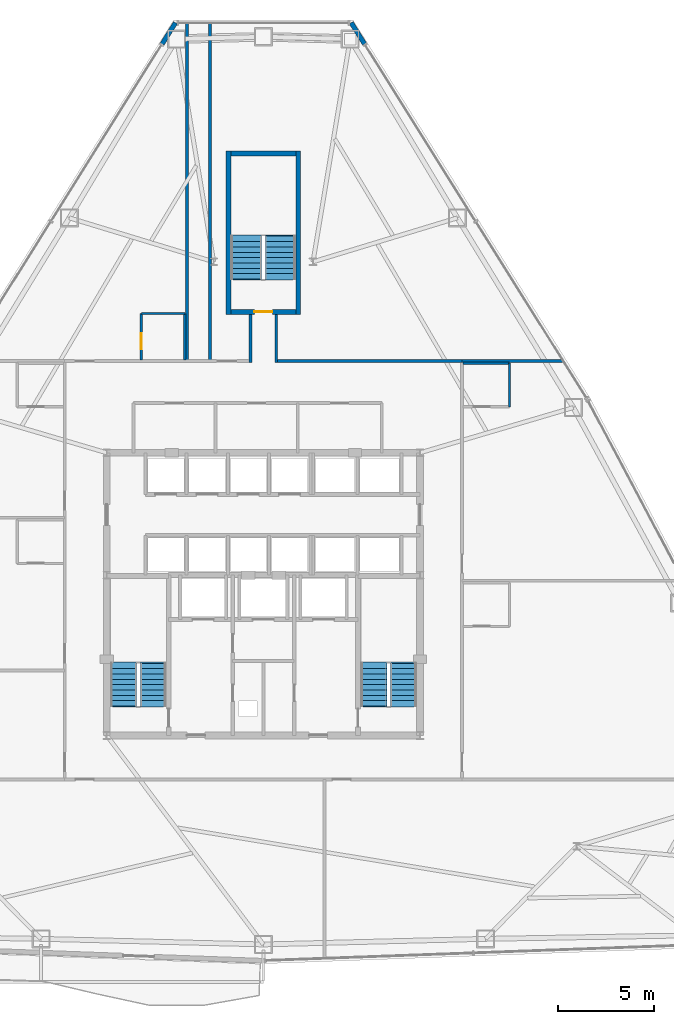
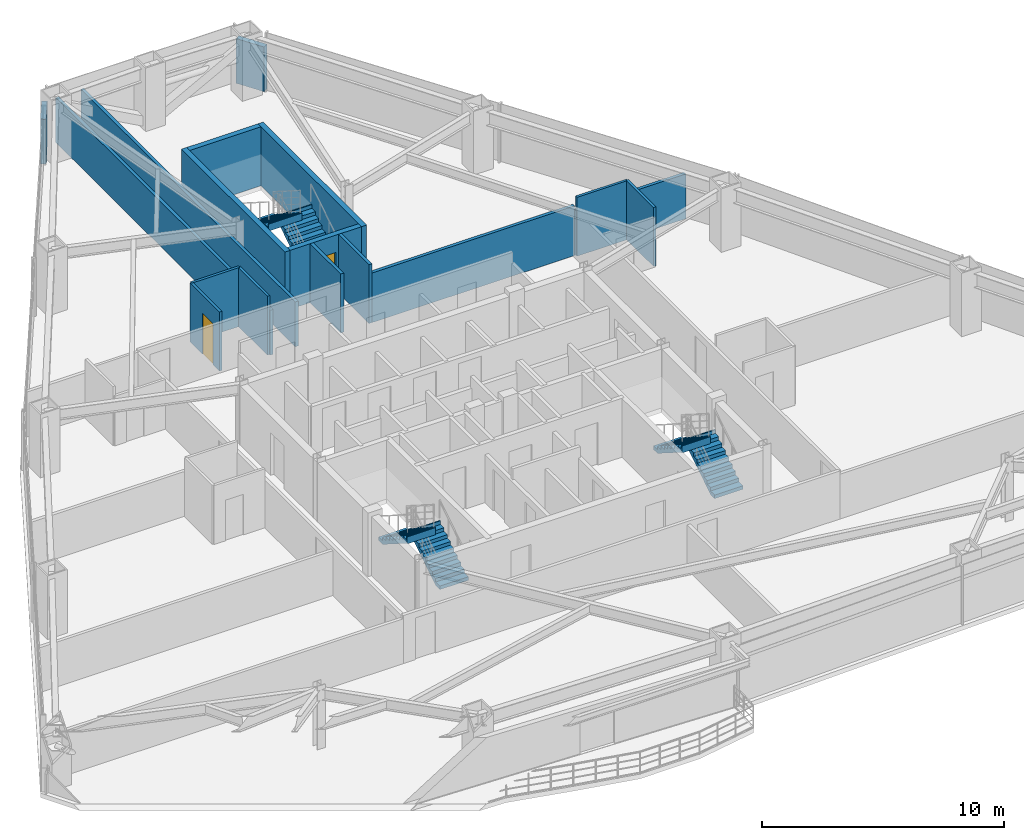
# One storey, part 11 of 13: 17 walls, 6 stair flights, 2 doors, 2 openings, 3 elements without a shape of their own.
"""IFC4 building model written with IfcOpenShell, lengths in metres."""

from ifc_helpers import new_model, si_unit, direction, frame, frame_2d, origin, place, context, subcontext, project, spatial, polyline, rectangle, outline, extrude, material, layer, layer_set, type_object, element, fill, aggregate, save


model = new_model("IFC4")

# Units and contexts
model_context = context("Model", 3, precision=1e-05, world=origin(), true_north=direction((0.0, 1.0)))
body_context = subcontext(model_context, "Body", "Model", "MODEL_VIEW")
ifc_project = project(units=[si_unit("LENGTHUNIT", "METRE"), si_unit("AREAUNIT", "SQUARE_METRE"), si_unit("VOLUMEUNIT", "CUBIC_METRE"), si_unit("PLANEANGLEUNIT", "RADIAN"), si_unit("MASSUNIT", "GRAM", prefix="KILO")], contexts=[model_context])

# Site, building, storey
site_placement = place(None, origin())
site = spatial("IfcSite", under=ifc_project, at=site_placement, CompositionType="ELEMENT")
building_placement = place(site_placement, origin())
building = spatial("IfcBuilding", under=site, at=building_placement, Name="Varakhsha Concourse Tower", CompositionType="ELEMENT")
storey_placement = place(building_placement, frame((0.0, 0.0, 95.800048828125)))
storey = spatial("IfcBuildingStorey", under=building, at=storey_placement, Name="L27", CompositionType="ELEMENT", Elevation=95.800048828125)

# Walls
ifc_material_1 = material(Name="Concrete fc 45 MPa", Category="concrete")
ifc_layer_1 = layer(ifc_material_1, 0.239990234375, Name="WL-EXT-CRN-240")
ifc_layer_set_1 = layer_set([ifc_layer_1], Name="Concrete fc 45 MPa")
wall_type_1 = type_object("IfcWallType", Name="WL-EXT-CRN-240", PredefinedType="SHEAR", material=ifc_layer_set_1)
for number, where, z_axis, x_axis, name in (
    (1, (35.39892578125, 53.7158203125, 0.0), (0.0, 0.0, 1.0), (-0.531234768042, -0.847224658059, 0.0), "L27 Wind-Corner Shoulder Wall F2"),
    (2, (45.298828125, 52.60302734375, 0.0), (0.0, 0.0, 1.0), (-0.531234768042, 0.847224658059, 0.0), "L27 Wind-Corner Shoulder Wall F9"),
):
    element("IfcWall", number, at=place(storey_placement, frame(where, z_axis=z_axis, x_axis=x_axis)), inside=storey, type_object=wall_type_1, Name=name, PredefinedType="SHEAR", context=body_context, shape_type="SweptSolid", body=[
        extrude(rectangle(XDim=1.3134765625, YDim=0.239990234375, at=frame_2d((0.65673828125, 0.0))), origin(), (0.0, 0.0, 1.0), 2.2529296875),
    ])
ifc_material_2 = material(Name="Acoustic Gypsum Board Partition Assembly", Category="gypsum")
ifc_layer_2 = layer(ifc_material_2, 0.1201171875, Name="WL-PART-120")
ifc_layer_set_2 = layer_set([ifc_layer_2], Name="Acoustic Gypsum Board Partition Assembly")
wall_type_2 = type_object("IfcWallType", Name="WL-PART-120", PredefinedType="PARTITIONING", material=ifc_layer_set_2)
wall_1_placement = place(storey_placement, frame((52.889892578125, 33.610107421875, 0.0), z_axis=(0.0, 0.0, 1.0), x_axis=(0.0, 1.0, 0.0)))
element("IfcWall", 3, at=wall_1_placement, inside=storey, type_object=wall_type_2, Name="L27 Wall ENSW-E-L27-H07", PredefinedType="PARTITIONING", context=body_context, shape_type="SweptSolid", body=[
    extrude(rectangle(XDim=2.27978515625, YDim=0.1201171875, at=frame_2d((1.139892578125, 0.0))), origin(), (0.0, 0.0, 1.0), 2.969970703125),
])
wall_2_placement = place(storey_placement, frame((50.4599609375, 35.889892578125, 0.0), z_axis=(0.0, 0.0, 1.0), x_axis=(1.0, 0.0, 0.0)))
element("IfcWall", 4, at=wall_2_placement, inside=storey, type_object=wall_type_2, Name="L27 Wall ENSW-N-L27-H07", PredefinedType="PARTITIONING", context=body_context, shape_type="SweptSolid", body=[
    extrude(rectangle(XDim=2.429931640625, YDim=0.1201171875, at=frame_2d((1.21484375, 0.0))), origin(), (0.0, 0.0, 1.0), 2.969970703125),
])

# Wall, opening, door
wall_3_placement = place(storey_placement, frame((33.610107421875, 36.06005859375, 0.0), z_axis=(0.0, 0.0, 1.0), x_axis=(0.0, 1.0, 0.0)))
wall_3 = element("IfcWall", 5, at=wall_3_placement, inside=storey, type_object=wall_type_2, Name="L27 Wall ENSW-W-L27-H08", PredefinedType="PARTITIONING", context=body_context, shape_type="SweptSolid", body=[
    extrude(rectangle(XDim=2.429931640625, YDim=0.1201171875, at=frame_2d((1.21484375, 0.0))), origin(), (0.0, 0.0, 1.0), 2.969970703125),
])
opening_1_placement = place(wall_3_placement, frame((0.550048828125, 0.0, 0.0)))
opening_1 = element("IfcOpeningElement", 6, at=opening_1_placement, cuts=wall_3, Name="Opening DI-01", PredefinedType="OPENING", context=body_context, shape_type="SweptSolid", body=[
    extrude(rectangle(XDim=0.85009765625, YDim=2.050048828125, at=frame_2d((0.425048828125, 1.02490234375))), frame((0.0, 0.070068359375, 0.0), z_axis=(0.0, -1.0, 0.0), x_axis=(1.0, 0.0, 0.0)), (0.0, 0.0, 1.0), 0.14013671875),
])
ifc_material_3 = material(Name="Architectural Walnut Acoustic Timber Door", Category="wood")
door_type_1 = type_object("IfcDoorType", Name="DR-INT-850", OperationType="NOTDEFINED", PredefinedType="DOOR", material=ifc_material_3)
door_1_placement = place(opening_1_placement, origin())
door_1 = element("IfcDoor", 7, at=door_1_placement, inside=storey, type_object=door_type_1, Name="L27 En-suite Bathroom Door L27-H08", OperationType="SINGLE_SWING_RIGHT", OverallHeight=2.050048828125, OverallWidth=0.85009765625, PredefinedType="DOOR", context=body_context, shape_type="SweptSolid", body=[
    extrude(rectangle(XDim=0.85009765625, YDim=2.050048828125, at=frame_2d((0.425048828125, 1.02490234375))), frame((0.0, 0.02490234375, 0.0), z_axis=(0.0, -1.0, 0.0), x_axis=(1.0, 0.0, 0.0)), (0.0, 0.0, 1.0), 0.050048828125),
])
fill(opening_1, door_1)

# Walls
wall_4_placement = place(storey_placement, frame((35.889892578125, 36.06005859375, 0.0), z_axis=(0.0, 0.0, 1.0), x_axis=(0.0, 1.0, 0.0)))
element("IfcWall", 8, at=wall_4_placement, inside=storey, type_object=wall_type_2, Name="L27 Wall ENSW-E-L27-H08", PredefinedType="PARTITIONING", context=body_context, shape_type="SweptSolid", body=[
    extrude(rectangle(XDim=2.429931640625, YDim=0.1201171875, at=frame_2d((1.21484375, 0.0))), origin(), (0.0, 0.0, 1.0), 2.969970703125),
])
wall_5_placement = place(storey_placement, frame((33.610107421875, 38.489990234375, 0.0), z_axis=(0.0, 0.0, 1.0), x_axis=(1.0, 0.0, 0.0)))
element("IfcWall", 9, at=wall_5_placement, inside=storey, type_object=wall_type_2, Name="L27 Wall ENSW-N-L27-H08", PredefinedType="PARTITIONING", context=body_context, shape_type="SweptSolid", body=[
    extrude(rectangle(XDim=2.27978515625, YDim=0.1201171875, at=frame_2d((1.139892578125, 0.0))), origin(), (0.0, 0.0, 1.0), 2.969970703125),
])
ifc_material_4 = material(Name="Fire-Rated Type X Gypsum Partition Assembly", Category="gypsum")
ifc_layer_3 = layer(ifc_material_4, 0.14990234375, Name="WL-PART-150")
ifc_layer_set_3 = layer_set([ifc_layer_3], Name="Fire-Rated Type X Gypsum Partition Assembly")
wall_type_3 = type_object("IfcWallType", Name="WL-PART-150", PredefinedType="PARTITIONING", material=ifc_layer_set_3)
wall_6_placement = place(storey_placement, frame((40.75, 36.0, 0.0), z_axis=(0.0, 0.0, 1.0), x_axis=(1.0, 0.0, 0.0)))
element("IfcWall", 10, at=wall_6_placement, inside=storey, type_object=wall_type_3, Name="L27 Wall CRW-N-L27-B", PredefinedType="PARTITIONING", context=body_context, shape_type="SweptSolid", body=[
    extrude(rectangle(XDim=9.64990234375, YDim=0.14990234375, at=frame_2d((4.824951171875, 0.0))), origin(), (0.0, 0.0, 1.0), 2.5029296875),
])
wall_7_placement = place(storey_placement, frame((50.39990234375, 36.0, 0.0), z_axis=(0.0, 0.0, 1.0), x_axis=(1.0, 0.0, 0.0)))
element("IfcWall", 11, at=wall_7_placement, inside=storey, type_object=wall_type_3, Name="L27 Wall HDIV-EBN-L27", PredefinedType="PARTITIONING", context=body_context, shape_type="SweptSolid", body=[
    extrude(rectangle(XDim=5.302978515625, YDim=0.14990234375, at=frame_2d((2.6513671875, 0.0))), origin(), (0.0, 0.0, 1.0), 2.258056640625),
])
for number, where, z_axis, x_axis, name in (
    (12, (36.0, 36.0, 0.0), (0.0, 0.0, 1.0), (0.0, 1.0, 0.0), "L27 Wall HDIV-N1-L27"),
    (13, (37.199951171875, 36.0, 0.0), (0.0, 0.0, 1.0), (0.0, 1.0, 0.0), "L27 Wall HDIV-N2-L27"),
):
    element("IfcWall", number, at=place(storey_placement, frame(where, z_axis=z_axis, x_axis=x_axis)), inside=storey, type_object=wall_type_3, Name=name, PredefinedType="PARTITIONING", context=body_context, shape_type="SweptSolid", body=[
        extrude(rectangle(XDim=17.6943359375, YDim=0.14990234375, at=frame_2d((8.84716796875, 0.0))), origin(), (0.0, 0.0, 1.0), 2.258056640625),
    ])
for number, where, z_axis, x_axis, name in (
    (14, (39.324951171875, 35.925048828125, 0.0), (0.0, 0.0, 1.0), (0.0, 1.0, 0.0), "L27 Wall STUB-W-L27"),
    (15, (40.675048828125, 35.925048828125, 0.0), (0.0, 0.0, 1.0), (0.0, 1.0, 0.0), "L27 Wall STUB-E-L27"),
):
    element("IfcWall", number, at=place(storey_placement, frame(where, z_axis=z_axis, x_axis=x_axis)), inside=storey, type_object=wall_type_3, Name=name, PredefinedType="PARTITIONING", context=body_context, shape_type="SweptSolid", body=[
        extrude(rectangle(XDim=2.52490234375, YDim=0.14990234375, at=frame_2d((1.262451171875, 0.0))), origin(), (0.0, 0.0, 1.0), 2.969970703125),
    ])
ifc_layer_4 = layer(ifc_material_1, 0.25, Name="WL-STAIR-250")
ifc_layer_set_4 = layer_set([ifc_layer_4], Name="Concrete fc 45 MPa")
wall_type_4 = type_object("IfcWallType", Name="WL-STAIR-250", PredefinedType="SHEAR", material=ifc_layer_set_4)
for number, where, z_axis, x_axis, name in (
    (16, (38.175048828125, 38.449951171875, 0.0), (0.0, 0.0, 1.0), (0.0, 1.0, 0.0), "L27 Wall SWALL-ST5-W-L27"),
    (17, (41.824951171875, 38.449951171875, 0.0), (0.0, 0.0, 1.0), (0.0, 1.0, 0.0), "L27 Wall SWALL-ST5-E-L27"),
):
    element("IfcWall", number, at=place(storey_placement, frame(where, z_axis=z_axis, x_axis=x_axis)), inside=storey, type_object=wall_type_4, Name=name, PredefinedType="SHEAR", context=body_context, shape_type="SweptSolid", body=[
        extrude(rectangle(XDim=8.550048828125, YDim=0.25, at=frame_2d((4.27490234375, 0.0))), origin(), (0.0, 0.0, 1.0), 2.969970703125),
    ])

# Wall, opening, door
wall_8_placement = place(storey_placement, frame((38.300048828125, 38.574951171875, 0.0), z_axis=(0.0, 0.0, 1.0), x_axis=(1.0, 0.0, 0.0)))
wall_8 = element("IfcWall", 18, at=wall_8_placement, inside=storey, type_object=wall_type_4, Name="L27 Wall SWALL-ST5-S-L27", PredefinedType="SHEAR", context=body_context, shape_type="SweptSolid", body=[
    extrude(rectangle(XDim=3.39990234375, YDim=0.25, at=frame_2d((1.699951171875, 0.0))), origin(), (0.0, 0.0, 1.0), 2.969970703125),
])
opening_2_placement = place(wall_8_placement, frame((1.22509765625, 0.0, 0.0)))
opening_2 = element("IfcOpeningElement", 19, at=opening_2_placement, cuts=wall_8, Name="Opening DF-03", PredefinedType="OPENING", context=body_context, shape_type="SweptSolid", body=[
    extrude(rectangle(XDim=0.949951171875, YDim=2.10009765625, at=frame_2d((0.47509765625, 1.050048828125))), frame((0.0, 0.135009765625, 0.0), z_axis=(0.0, -1.0, 0.0), x_axis=(1.0, 0.0, 0.0)), (0.0, 0.0, 1.0), 0.27001953125),
])
ifc_material_5 = material(Name="Hollow Galvanised Steel Fire Door Assembly", Category="steel")
door_type_2 = type_object("IfcDoorType", Name="DR-FD90-950", OperationType="NOTDEFINED", PredefinedType="DOOR", material=ifc_material_5)
door_2_placement = place(opening_2_placement, origin())
door_2 = element("IfcDoor", 20, at=door_2_placement, inside=storey, type_object=door_type_2, Name="L27 Stair ST5 Fire Door", OperationType="SINGLE_SWING_RIGHT", OverallHeight=2.10009765625, OverallWidth=0.949951171875, PredefinedType="DOOR", context=body_context, shape_type="SweptSolid", body=[
    extrude(rectangle(XDim=0.949951171875, YDim=2.10009765625, at=frame_2d((0.47509765625, 1.050048828125))), frame((0.0, 0.02490234375, 0.0), z_axis=(0.0, -1.0, 0.0), x_axis=(1.0, 0.0, 0.0)), (0.0, 0.0, 1.0), 0.050048828125),
])
fill(opening_2, door_2)

# Wall
wall_9_placement = place(storey_placement, frame((38.300048828125, 46.875, 0.0), z_axis=(0.0, 0.0, 1.0), x_axis=(1.0, 0.0, 0.0)))
element("IfcWall", 21, at=wall_9_placement, inside=storey, type_object=wall_type_4, Name="L27 Wall SWALL-ST5-N-L27", PredefinedType="SHEAR", context=body_context, shape_type="SweptSolid", body=[
    extrude(rectangle(XDim=3.39990234375, YDim=0.25, at=frame_2d((1.699951171875, 0.0))), origin(), (0.0, 0.0, 1.0), 2.969970703125),
])

# Stair, stair flights
stair_type_1 = type_object("IfcStairType", Name="ST-DOGLEG-1360", PredefinedType="HALF_TURN_STAIR", material=ifc_material_1)
stair_1_placement = place(storey_placement, origin())
stair_1 = element("IfcStair", 22, at=stair_1_placement, inside=storey, type_object=stair_type_1, Name="L27 Protected Exit Stair ST1", PredefinedType="HALF_TURN_STAIR")
stair_flight_type_1 = type_object("IfcStairFlightType", Name="STF-1360-R1778", PredefinedType="STRAIGHT", material=ifc_material_1)
stair_flight_1_placement = place(storey_placement, frame((34.239990234375, 17.93994140625, 0.0), z_axis=(0.0, 0.0, 1.0), x_axis=(0.0, 1.0, 0.0)))
stair_flight_1 = element("IfcStairFlight", 23, at=stair_flight_1_placement, type_object=stair_flight_type_1, Name="ST1 flight 1", NumberOfRisers=9, NumberOfTreads=8, PredefinedType="STRAIGHT", RiserHeight=0.177777778, TreadLength=0.28, context=body_context, shape_type="SweptSolid", body=[
    extrude(outline(polyline([(-0.06005859375, 0.0), (-0.06005859375, 0.177734375), (0.0, 0.177734375), (0.280029296875, 0.177734375), (0.280029296875, 0.35546875), (0.56005859375, 0.35546875), (0.56005859375, 0.533447265625), (0.840087890625, 0.533447265625), (0.840087890625, 0.711181640625), (1.1201171875, 0.711181640625), (1.1201171875, 0.888916015625), (1.39990234375, 0.888916015625), (1.39990234375, 1.066650390625), (1.679931640625, 1.066650390625), (1.679931640625, 1.244384765625), (1.9599609375, 1.244384765625), (1.9599609375, 1.422119140625), (2.239990234375, 1.422119140625), (2.239990234375, 1.60009765625), (2.300048828125, 1.60009765625), (2.300048828125, 1.24462890625), (2.239990234375, 1.24462890625), (0.27978515625, 0.0), (-0.06005859375, 0.0)])), frame((0.0, 0.68017578125, 0.0), z_axis=(0.0, -1.0, 0.0), x_axis=(1.0, 0.0, 0.0)), (0.0, 0.0, 1.0), 1.360107421875),
])
stair_flight_2_placement = place(storey_placement, frame((32.679931640625, 20.179931640625, 1.599853515625), z_axis=(0.0, 0.0, 1.0), x_axis=(0.0, -1.0, 0.0)))
stair_flight_2 = element("IfcStairFlight", 24, at=stair_flight_2_placement, type_object=stair_flight_type_1, Name="ST1 flight 2", NumberOfRisers=9, NumberOfTreads=8, PredefinedType="STRAIGHT", RiserHeight=0.177777778, TreadLength=0.28, context=body_context, shape_type="SweptSolid", body=[
    extrude(outline(polyline([(-0.06005859375, 0.0), (-0.06005859375, 0.177734375), (0.0, 0.177734375), (0.280029296875, 0.177734375), (0.280029296875, 0.35546875), (0.56005859375, 0.35546875), (0.56005859375, 0.533447265625), (0.840087890625, 0.533447265625), (0.840087890625, 0.711181640625), (1.1201171875, 0.711181640625), (1.1201171875, 0.888916015625), (1.39990234375, 0.888916015625), (1.39990234375, 1.066650390625), (1.679931640625, 1.066650390625), (1.679931640625, 1.244384765625), (1.9599609375, 1.244384765625), (1.9599609375, 1.422119140625), (2.239990234375, 1.422119140625), (2.239990234375, 1.60009765625), (2.300048828125, 1.60009765625), (2.300048828125, 1.24462890625), (2.239990234375, 1.24462890625), (0.27978515625, 0.0), (-0.06005859375, 0.0)])), frame((0.0, 0.68017578125, 0.0), z_axis=(0.0, -1.0, 0.0), x_axis=(1.0, 0.0, 0.0)), (0.0, 0.0, 1.0), 1.360107421875),
])
aggregate(stair_1, [stair_flight_1, stair_flight_2])

stair_2_placement = place(storey_placement, origin())
stair_2 = element("IfcStair", 25, at=stair_2_placement, inside=storey, type_object=stair_type_1, Name="L27 Protected Exit Stair ST2", PredefinedType="HALF_TURN_STAIR")
stair_flight_3_placement = place(storey_placement, frame((47.340087890625, 17.93994140625, 0.0), z_axis=(0.0, 0.0, 1.0), x_axis=(0.0, 1.0, 0.0)))
stair_flight_3 = element("IfcStairFlight", 26, at=stair_flight_3_placement, type_object=stair_flight_type_1, Name="ST2 flight 1", NumberOfRisers=9, NumberOfTreads=8, PredefinedType="STRAIGHT", RiserHeight=0.177777778, TreadLength=0.28, context=body_context, shape_type="SweptSolid", body=[
    extrude(outline(polyline([(-0.06005859375, 0.0), (-0.06005859375, 0.177734375), (0.0, 0.177734375), (0.280029296875, 0.177734375), (0.280029296875, 0.35546875), (0.56005859375, 0.35546875), (0.56005859375, 0.533447265625), (0.840087890625, 0.533447265625), (0.840087890625, 0.711181640625), (1.1201171875, 0.711181640625), (1.1201171875, 0.888916015625), (1.39990234375, 0.888916015625), (1.39990234375, 1.066650390625), (1.679931640625, 1.066650390625), (1.679931640625, 1.244384765625), (1.9599609375, 1.244384765625), (1.9599609375, 1.422119140625), (2.239990234375, 1.422119140625), (2.239990234375, 1.60009765625), (2.300048828125, 1.60009765625), (2.300048828125, 1.24462890625), (2.239990234375, 1.24462890625), (0.27978515625, 0.0), (-0.06005859375, 0.0)])), frame((0.0, 0.68017578125, 0.0), z_axis=(0.0, -1.0, 0.0), x_axis=(1.0, 0.0, 0.0)), (0.0, 0.0, 1.0), 1.360107421875),
])
stair_flight_4_placement = place(storey_placement, frame((45.780029296875, 20.179931640625, 1.599853515625), z_axis=(0.0, 0.0, 1.0), x_axis=(0.0, -1.0, 0.0)))
stair_flight_4 = element("IfcStairFlight", 27, at=stair_flight_4_placement, type_object=stair_flight_type_1, Name="ST2 flight 2", NumberOfRisers=9, NumberOfTreads=8, PredefinedType="STRAIGHT", RiserHeight=0.177777778, TreadLength=0.28, context=body_context, shape_type="SweptSolid", body=[
    extrude(outline(polyline([(-0.06005859375, 0.0), (-0.06005859375, 0.177734375), (0.0, 0.177734375), (0.280029296875, 0.177734375), (0.280029296875, 0.35546875), (0.56005859375, 0.35546875), (0.56005859375, 0.533447265625), (0.840087890625, 0.533447265625), (0.840087890625, 0.711181640625), (1.1201171875, 0.711181640625), (1.1201171875, 0.888916015625), (1.39990234375, 0.888916015625), (1.39990234375, 1.066650390625), (1.679931640625, 1.066650390625), (1.679931640625, 1.244384765625), (1.9599609375, 1.244384765625), (1.9599609375, 1.422119140625), (2.239990234375, 1.422119140625), (2.239990234375, 1.60009765625), (2.300048828125, 1.60009765625), (2.300048828125, 1.24462890625), (2.239990234375, 1.24462890625), (0.27978515625, 0.0), (-0.06005859375, 0.0)])), frame((0.0, 0.68017578125, 0.0), z_axis=(0.0, -1.0, 0.0), x_axis=(1.0, 0.0, 0.0)), (0.0, 0.0, 1.0), 1.360107421875),
])
aggregate(stair_2, [stair_flight_3, stair_flight_4])

stair_type_2 = type_object("IfcStairType", Name="ST-DOGLEG-1600", PredefinedType="HALF_TURN_STAIR", material=ifc_material_1)
stair_3_placement = place(storey_placement, origin())
stair_3 = element("IfcStair", 28, at=stair_3_placement, inside=storey, type_object=stair_type_2, Name="L27 Protected Exit Stair ST5", PredefinedType="HALF_TURN_STAIR")
stair_flight_type_2 = type_object("IfcStairFlightType", Name="STF-1600-R1778", PredefinedType="STRAIGHT", material=ifc_material_1)
stair_flight_5_placement = place(storey_placement, frame((40.89990234375, 40.300048828125, 0.0), z_axis=(0.0, 0.0, 1.0), x_axis=(0.0, 1.0, 0.0)))
stair_flight_5 = element("IfcStairFlight", 29, at=stair_flight_5_placement, type_object=stair_flight_type_2, Name="ST5 flight 1", NumberOfRisers=9, NumberOfTreads=8, PredefinedType="STRAIGHT", RiserHeight=0.177777778, TreadLength=0.28, context=body_context, shape_type="SweptSolid", body=[
    extrude(outline(polyline([(-0.06005859375, 0.0), (-0.06005859375, 0.177734375), (0.0, 0.177734375), (0.280029296875, 0.177734375), (0.280029296875, 0.35546875), (0.56005859375, 0.35546875), (0.56005859375, 0.533447265625), (0.840087890625, 0.533447265625), (0.840087890625, 0.711181640625), (1.1201171875, 0.711181640625), (1.1201171875, 0.888916015625), (1.39990234375, 0.888916015625), (1.39990234375, 1.066650390625), (1.679931640625, 1.066650390625), (1.679931640625, 1.244384765625), (1.9599609375, 1.244384765625), (1.9599609375, 1.422119140625), (2.239990234375, 1.422119140625), (2.239990234375, 1.60009765625), (2.300048828125, 1.60009765625), (2.300048828125, 1.24462890625), (2.239990234375, 1.24462890625), (0.27978515625, 0.0), (-0.06005859375, 0.0)])), frame((0.0, 0.800048828125, 0.0), z_axis=(0.0, -1.0, 0.0), x_axis=(1.0, 0.0, 0.0)), (0.0, 0.0, 1.0), 1.60009765625),
])
stair_flight_6_placement = place(storey_placement, frame((39.10009765625, 42.5400390625, 1.599853515625), z_axis=(0.0, 0.0, 1.0), x_axis=(0.0, -1.0, 0.0)))
stair_flight_6 = element("IfcStairFlight", 30, at=stair_flight_6_placement, type_object=stair_flight_type_2, Name="ST5 flight 2", NumberOfRisers=9, NumberOfTreads=8, PredefinedType="STRAIGHT", RiserHeight=0.177777778, TreadLength=0.28, context=body_context, shape_type="SweptSolid", body=[
    extrude(outline(polyline([(-0.06005859375, 0.0), (-0.06005859375, 0.177734375), (0.0, 0.177734375), (0.280029296875, 0.177734375), (0.280029296875, 0.35546875), (0.56005859375, 0.35546875), (0.56005859375, 0.533447265625), (0.840087890625, 0.533447265625), (0.840087890625, 0.711181640625), (1.1201171875, 0.711181640625), (1.1201171875, 0.888916015625), (1.39990234375, 0.888916015625), (1.39990234375, 1.066650390625), (1.679931640625, 1.066650390625), (1.679931640625, 1.244384765625), (1.9599609375, 1.244384765625), (1.9599609375, 1.422119140625), (2.239990234375, 1.422119140625), (2.239990234375, 1.60009765625), (2.300048828125, 1.60009765625), (2.300048828125, 1.24462890625), (2.239990234375, 1.24462890625), (0.27978515625, 0.0), (-0.06005859375, 0.0)])), frame((0.0, 0.800048828125, 0.0), z_axis=(0.0, -1.0, 0.0), x_axis=(1.0, 0.0, 0.0)), (0.0, 0.0, 1.0), 1.60009765625),
])
aggregate(stair_3, [stair_flight_5, stair_flight_6])

save(model, "model.ifc")
